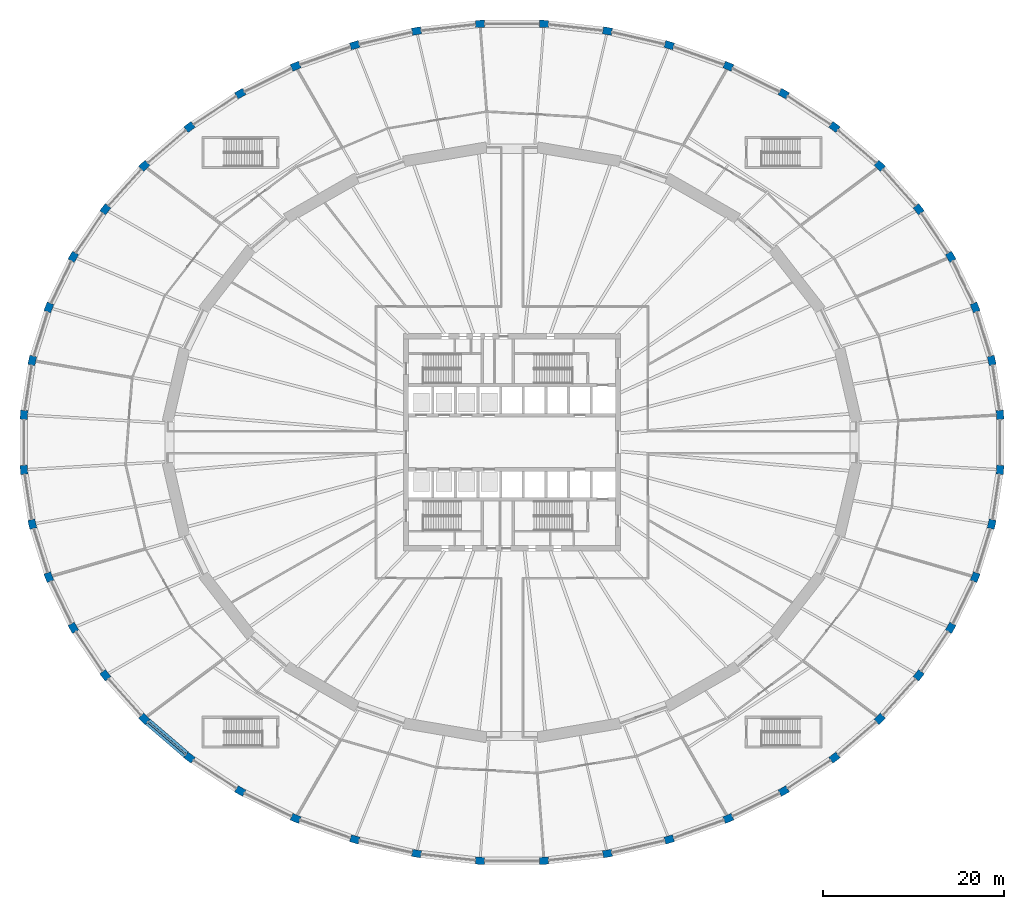
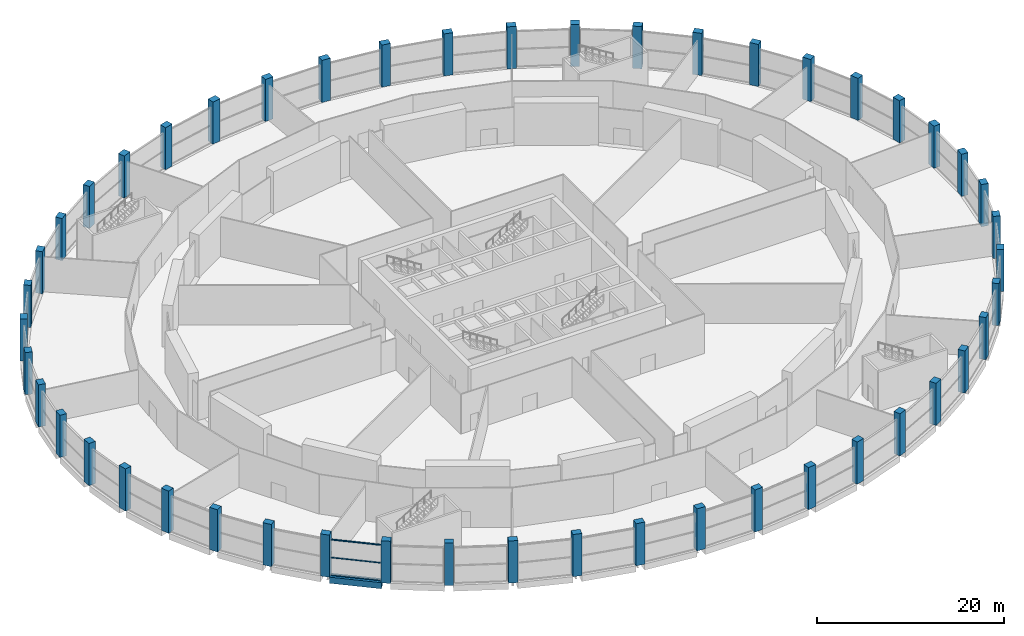
# One storey, part 1 of 29: 48 columns, 3 members, 1 beam, 1 element without a shape of its own.
"""IFC4 building model written with IfcOpenShell, lengths in metres."""

from ifc_helpers import new_model, si_unit, direction, frame, origin, origin_2d, place, context, subcontext, project, spatial, rectangle, extrude, material, material_profile, profile_set, type_object, element, aggregate, save


model = new_model("IFC4")

# Units and contexts
model_context = context("Model", 3, precision=1e-05, world=origin(), true_north=direction((0.0, 1.0)))
body_context = subcontext(model_context, "Body", "Model", "MODEL_VIEW")
ifc_project = project(units=[si_unit("LENGTHUNIT", "METRE"), si_unit("AREAUNIT", "SQUARE_METRE"), si_unit("VOLUMEUNIT", "CUBIC_METRE"), si_unit("PLANEANGLEUNIT", "RADIAN"), si_unit("MASSUNIT", "GRAM", prefix="KILO")], contexts=[model_context])

# Site, building, storey
site_placement = place(None, origin())
site = spatial("IfcSite", under=ifc_project, at=site_placement, CompositionType="ELEMENT")
building_placement = place(site_placement, origin())
building = spatial("IfcBuilding", under=site, at=building_placement, Name="Halqa Exchange Tower", CompositionType="ELEMENT")
storey_placement = place(building_placement, frame((0.0, 0.0, 12.5)))
storey = spatial("IfcBuildingStorey", under=building, at=storey_placement, Name="L02", CompositionType="ELEMENT", Elevation=12.5)

# Columns
ifc_material_1 = material(Name="Concrete C60/75", Category="concrete")
ifc_material_profile_1 = material_profile(ifc_material_1, rectangle(XDim=1.0, YDim=0.800048828125, at=origin_2d()), Name="1000 x 800")
ifc_profile_set_1 = profile_set([ifc_material_profile_1], Name="Concrete C60/75")
column_type = type_object("IfcColumnType", Name="RC podium ring column 1000 x 800 C60/75", PredefinedType="COLUMN", material=ifc_profile_set_1)
for number, where, z_axis, x_axis, name in (
    (1, (53.884521484375, 3.0283203125, 0.0), (0.0, 0.0, 1.0), (-0.076223065836, 0.997090790367, 0.0), "Podium ring column 1"),
    (2, (52.96240234375, 9.03271484375, 0.0), (0.0, 0.0, 1.0), (-0.22599679145, 0.974128046129, 0.0), "Podium ring column 2"),
    (3, (51.13427734375, 14.882568359375, 0.0), (0.0, 0.0, 1.0), (-0.368109947744, 0.92978226826, 0.0), "Podium ring column 3"),
    (4, (48.43115234375, 20.47802734375, 0.0), (0.0, 0.0, 1.0), (-0.498569440634, 0.866849763723, 0.0), "Podium ring column 4"),
    (5, (44.8994140625, 25.722900390625, 0.0), (0.0, 0.0, 1.0), (-0.614691396063, 0.788767701929, 0.0), "Podium ring column 5"),
    (6, (40.599365234375, 30.527587890625, 0.0), (0.0, 0.0, 1.0), (-0.715039055588, 0.699084507755, 0.0), "Podium ring column 6"),
    (7, (35.604736328125, 34.810302734375, 0.0), (0.0, 0.0, 1.0), (-0.799260046694, 0.600985339055, 0.0), "Podium ring column 7"),
    (8, (30.000732421875, 38.4970703125, 0.0), (0.0, 0.0, 1.0), (-0.867693451459, 0.497099662336, 0.0), "Podium ring column 8"),
    (9, (23.883544921875, 41.525146484375, 0.0), (0.0, 0.0, 1.0), (-0.921048160137, 0.389448695861, 0.0), "Podium ring column 9"),
    (10, (17.357666015625, 43.843017578125, 0.0), (0.0, 0.0, 1.0), (-0.960157717988, 0.27945868494, 0.0), "Podium ring column 10"),
    (11, (10.534912109375, 45.410400390625, 0.0), (0.0, 0.0, 1.0), (-0.985766331194, 0.168121207122, 0.0), "Podium ring column 11"),
    (12, (3.53173828125, 46.200927734375, 0.0), (0.0, 0.0, 1.0), (-0.998424745269, 0.056107290394, 0.0), "Podium ring column 12"),
    (13, (-3.53173828125, 46.200927734375, 0.0), (0.0, 0.0, 1.0), (-0.998424745269, -0.056107290394, 0.0), "Podium ring column 13"),
    (14, (-10.534912109375, 45.410400390625, 0.0), (0.0, 0.0, 1.0), (-0.985766331194, -0.168121207122, 0.0), "Podium ring column 14"),
    (15, (-17.357666015625, 43.843017578125, 0.0), (0.0, 0.0, 1.0), (-0.960157717988, -0.27945868494, 0.0), "Podium ring column 15"),
    (16, (-23.883544921875, 41.525146484375, 0.0), (0.0, 0.0, 1.0), (-0.921048160137, -0.389448695861, 0.0), "Podium ring column 16"),
    (17, (-30.000732421875, 38.4970703125, 0.0), (0.0, 0.0, 1.0), (-0.867693451459, -0.497099662336, 0.0), "Podium ring column 17"),
    (18, (-35.604736328125, 34.810302734375, 0.0), (0.0, 0.0, 1.0), (-0.799260046694, -0.600985339055, 0.0), "Podium ring column 18"),
    (19, (-40.599365234375, 30.527587890625, 0.0), (0.0, 0.0, 1.0), (-0.715039055588, -0.699084507755, 0.0), "Podium ring column 19"),
    (20, (-44.8994140625, 25.722900390625, 0.0), (0.0, 0.0, 1.0), (-0.614691396063, -0.788767701929, 0.0), "Podium ring column 20"),
    (21, (-48.43115234375, 20.47802734375, 0.0), (0.0, 0.0, 1.0), (-0.498569440634, -0.866849763723, 0.0), "Podium ring column 21"),
    (22, (-51.13427734375, 14.882568359375, 0.0), (0.0, 0.0, 1.0), (-0.368109947744, -0.92978226826, 0.0), "Podium ring column 22"),
    (23, (-52.96240234375, 9.03271484375, 0.0), (0.0, 0.0, 1.0), (-0.22599679145, -0.974128046129, 0.0), "Podium ring column 23"),
    (24, (-53.884521484375, 3.0283203125, 0.0), (0.0, 0.0, 1.0), (-0.076223065836, -0.997090790367, 0.0), "Podium ring column 24"),
    (25, (-53.884521484375, -3.0283203125, 0.0), (0.0, 0.0, 1.0), (0.076223065836, -0.997090790367, 0.0), "Podium ring column 25"),
    (26, (-52.96240234375, -9.03271484375, 0.0), (0.0, 0.0, 1.0), (0.22599679145, -0.974128046129, 0.0), "Podium ring column 26"),
    (27, (-51.13427734375, -14.882568359375, 0.0), (0.0, 0.0, 1.0), (0.368109947744, -0.92978226826, 0.0), "Podium ring column 27"),
    (28, (-48.43115234375, -20.47802734375, 0.0), (0.0, 0.0, 1.0), (0.498569440634, -0.866849763723, 0.0), "Podium ring column 28"),
    (29, (-44.8994140625, -25.722900390625, 0.0), (0.0, 0.0, 1.0), (0.614691396063, -0.788767701929, 0.0), "Podium ring column 29"),
    (30, (-40.599365234375, -30.527587890625, 0.0), (0.0, 0.0, 1.0), (0.715039055588, -0.699084507755, 0.0), "Podium ring column 30"),
    (31, (-35.604736328125, -34.810302734375, 0.0), (0.0, 0.0, 1.0), (0.799260046694, -0.600985339055, 0.0), "Podium ring column 31"),
    (32, (-30.000732421875, -38.4970703125, 0.0), (0.0, 0.0, 1.0), (0.867693451459, -0.497099662336, 0.0), "Podium ring column 32"),
    (33, (-23.883544921875, -41.525146484375, 0.0), (0.0, 0.0, 1.0), (0.921048160137, -0.389448695861, 0.0), "Podium ring column 33"),
    (34, (-17.357666015625, -43.843017578125, 0.0), (0.0, 0.0, 1.0), (0.960157717988, -0.27945868494, 0.0), "Podium ring column 34"),
    (35, (-10.534912109375, -45.410400390625, 0.0), (0.0, 0.0, 1.0), (0.985766331194, -0.168121207122, 0.0), "Podium ring column 35"),
    (36, (-3.53173828125, -46.200927734375, 0.0), (0.0, 0.0, 1.0), (0.998424745269, -0.056107290394, 0.0), "Podium ring column 36"),
    (37, (3.53173828125, -46.200927734375, 0.0), (0.0, 0.0, 1.0), (0.998424745269, 0.056107290394, 0.0), "Podium ring column 37"),
    (38, (10.534912109375, -45.410400390625, 0.0), (0.0, 0.0, 1.0), (0.985766331194, 0.168121207122, 0.0), "Podium ring column 38"),
    (39, (17.357666015625, -43.843017578125, 0.0), (0.0, 0.0, 1.0), (0.960157717988, 0.27945868494, 0.0), "Podium ring column 39"),
    (40, (23.883544921875, -41.525146484375, 0.0), (0.0, 0.0, 1.0), (0.921048160137, 0.389448695861, 0.0), "Podium ring column 40"),
    (41, (30.000732421875, -38.4970703125, 0.0), (0.0, 0.0, 1.0), (0.867693451459, 0.497099662336, 0.0), "Podium ring column 41"),
    (42, (35.604736328125, -34.810302734375, 0.0), (0.0, 0.0, 1.0), (0.799260046694, 0.600985339055, 0.0), "Podium ring column 42"),
    (43, (40.599365234375, -30.527587890625, 0.0), (0.0, 0.0, 1.0), (0.715039055588, 0.699084507755, 0.0), "Podium ring column 43"),
    (44, (44.8994140625, -25.722900390625, 0.0), (0.0, 0.0, 1.0), (0.614691396063, 0.788767701929, 0.0), "Podium ring column 44"),
    (45, (48.43115234375, -20.47802734375, 0.0), (0.0, 0.0, 1.0), (0.498569440634, 0.866849763723, 0.0), "Podium ring column 45"),
    (46, (51.13427734375, -14.882568359375, 0.0), (0.0, 0.0, 1.0), (0.368109947744, 0.92978226826, 0.0), "Podium ring column 46"),
    (47, (52.96240234375, -9.03271484375, 0.0), (0.0, 0.0, 1.0), (0.22599679145, 0.974128046129, 0.0), "Podium ring column 47"),
    (48, (53.884521484375, -3.0283203125, 0.0), (0.0, 0.0, 1.0), (0.076223065836, 0.997090790367, 0.0), "Podium ring column 48"),
):
    element("IfcColumn", number, at=place(storey_placement, frame(where, z_axis=z_axis, x_axis=x_axis)), inside=storey, type_object=column_type, Name=name, PredefinedType="COLUMN", context=body_context, shape_type="SweptSolid", body=[
        extrude(rectangle(XDim=1.0, YDim=0.800048828125, at=origin_2d()), origin(), (0.0, 0.0, 1.0), 5.5),
    ])

# Curtain wall, members
ifc_material_2 = material(Name="Anodised aluminium and clear glass", Category="aluminium")
curtain_wall_type = type_object("IfcCurtainWallType", Name="Exchange hall glazing", PredefinedType="NOTDEFINED", material=ifc_material_2)
curtain_wall_placement = place(storey_placement, origin())
curtain_wall = element("IfcCurtainWall", 49, at=curtain_wall_placement, inside=storey, type_object=curtain_wall_type, Name="Exchange hall glazing run P30", PredefinedType="NOTDEFINED")
ifc_material_3 = material(Name="Anodised aluminium", Category="aluminium")
ifc_material_profile_2 = material_profile(ifc_material_3, rectangle(XDim=0.199951171875, YDim=0.070068359375, at=origin_2d()), Name="AL 70x200")
ifc_profile_set_2 = profile_set([ifc_material_profile_2], Name="Anodised aluminium")
member_type = type_object("IfcMemberType", Name="Exchange hall glazing transom 70 x 200", PredefinedType="USERDEFINED", material=ifc_profile_set_2)
member_1_placement = place(storey_placement, frame((-40.16650390625, -30.898681640625, 0.034912109375), z_axis=(0.759142529619, -0.650924434727, 0.0), x_axis=(0.650924434727, 0.759142529619, 0.0)))
member_1 = element("IfcMember", 50, at=member_1_placement, type_object=member_type, Name="P30 transom 1.1", ObjectType="TRANSOM", PredefinedType="USERDEFINED", context=body_context, shape_type="SweptSolid", body=[
    extrude(rectangle(XDim=0.199951171875, YDim=0.070068359375, at=origin_2d()), origin(), (0.0, 0.0, 1.0), 5.439208984375),
])
member_2_placement = place(storey_placement, frame((-40.16650390625, -30.898681640625, 2.35009765625), z_axis=(0.759142529619, -0.650924434727, 0.0), x_axis=(0.650924434727, 0.759142529619, 0.0)))
member_2 = element("IfcMember", 51, at=member_2_placement, type_object=member_type, Name="P30 transom 1.2", ObjectType="TRANSOM", PredefinedType="USERDEFINED", context=body_context, shape_type="SweptSolid", body=[
    extrude(rectangle(XDim=0.199951171875, YDim=0.070068359375, at=origin_2d()), origin(), (0.0, 0.0, 1.0), 5.439208984375),
])
member_3_placement = place(storey_placement, frame((-40.16650390625, -30.898681640625, 4.6650390625), z_axis=(0.759142529619, -0.650924434727, 0.0), x_axis=(0.650924434727, 0.759142529619, 0.0)))
member_3 = element("IfcMember", 52, at=member_3_placement, type_object=member_type, Name="P30 transom 1.3", ObjectType="TRANSOM", PredefinedType="USERDEFINED", context=body_context, shape_type="SweptSolid", body=[
    extrude(rectangle(XDim=0.199951171875, YDim=0.070068359375, at=origin_2d()), origin(), (0.0, 0.0, 1.0), 5.439208984375),
])
aggregate(curtain_wall, [member_1, member_2, member_3])

# Beam
ifc_material_profile_3 = material_profile(ifc_material_1, rectangle(XDim=0.800048828125, YDim=0.800048828125, at=origin_2d()), Name="800 x 800")
ifc_profile_set_3 = profile_set([ifc_material_profile_3], Name="Concrete C60/75")
beam_type = type_object("IfcBeamType", Name="RC podium edge beam 800 x 800 C60/75", PredefinedType="SPANDREL", material=ifc_profile_set_3)
beam_placement = place(storey_placement, frame((-40.240478515625, -30.83544921875, -0.39990234375), z_axis=(0.759174010844, -0.650887717859, 0.0), x_axis=(0.650887717859, 0.759174010844, 0.0)))
element("IfcBeam", 53, at=beam_placement, inside=storey, type_object=beam_type, Name="Podium edge beam 30", PredefinedType="SPANDREL", context=body_context, shape_type="SweptSolid", body=[
    extrude(rectangle(XDim=0.800048828125, YDim=0.800048828125, at=origin_2d()), origin(), (0.0, 0.0, 1.0), 5.63427734375),
])

save(model, "model.ifc")
